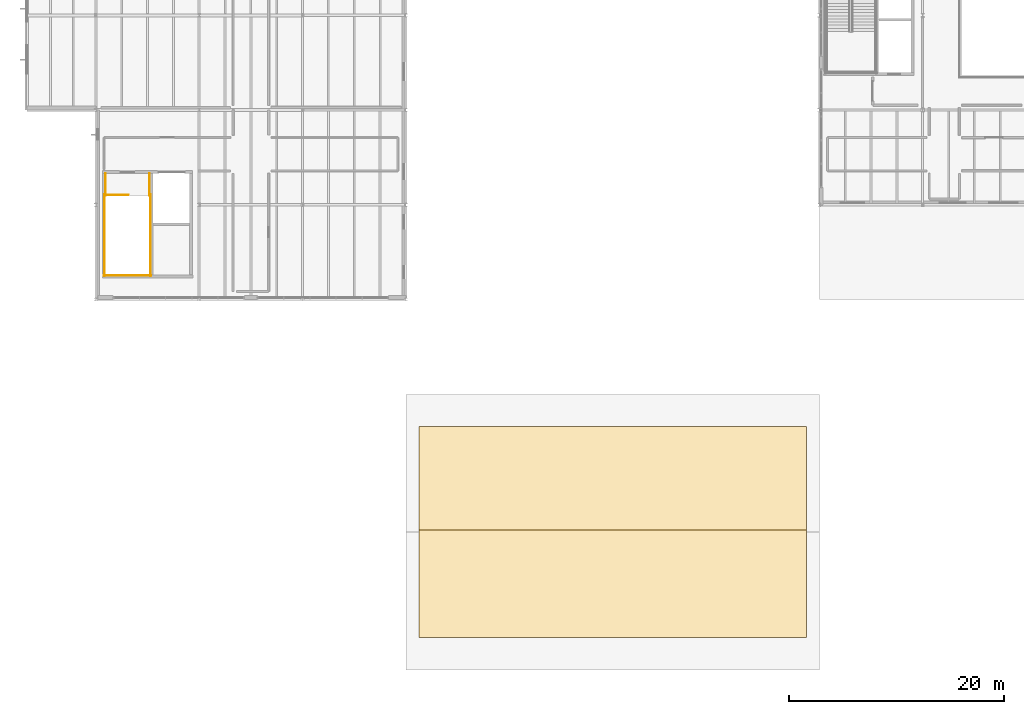
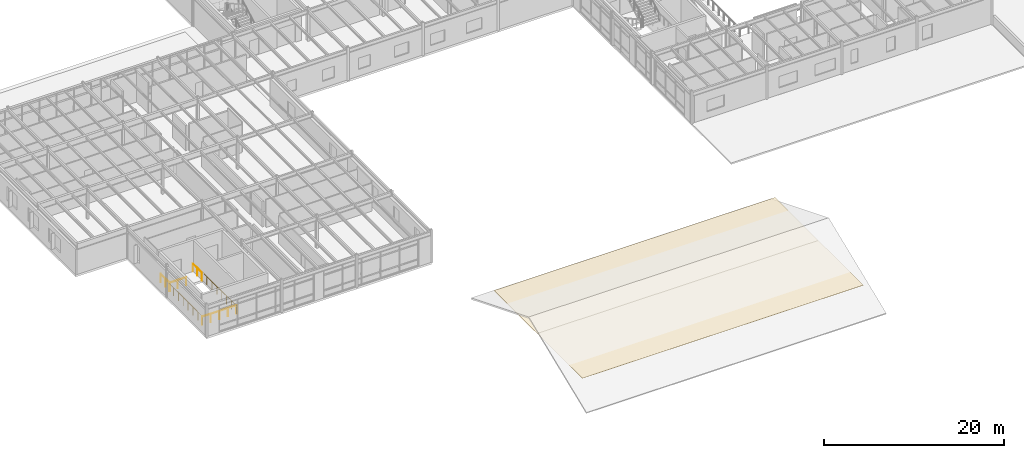
# One storey, part 58 of 69: 6 railings, 2 coverings.
"""IFC4 building model written with IfcOpenShell, lengths in metres."""

from ifc_helpers import new_model, si_unit, direction, frame, origin, origin_2d, place, context, subcontext, project, spatial, rectangle, circle, extrude, material, layer, layer_set, type_object, element, save


model = new_model("IFC4")

# Units and contexts
model_context = context("Model", 3, precision=1e-05, world=origin(), true_north=direction((0.0, 1.0)))
body_context = subcontext(model_context, "Body", "Model", "MODEL_VIEW")
ifc_project = project(units=[si_unit("LENGTHUNIT", "METRE"), si_unit("AREAUNIT", "SQUARE_METRE"), si_unit("VOLUMEUNIT", "CUBIC_METRE"), si_unit("PLANEANGLEUNIT", "RADIAN"), si_unit("MASSUNIT", "GRAM", prefix="KILO")], contexts=[model_context])

# Site, building, storey
site_placement = place(None, origin())
site = spatial("IfcSite", under=ifc_project, at=site_placement, CompositionType="ELEMENT")
building_placement = place(site_placement, origin())
building = spatial("IfcBuilding", under=site, at=building_placement, Name="Sarnbrook Museum", CompositionType="ELEMENT")
storey_placement = place(building_placement, frame((0.0, 0.0, 14.60009765625)))
storey = spatial("IfcBuildingStorey", under=building, at=storey_placement, Name="L03", CompositionType="ELEMENT", Elevation=14.60009765625)

# Railings
ifc_material_1 = material(Name="Brushed Stainless Steel Grade 316", Category="steel")
ifc_layer_1 = layer(ifc_material_1, 0.050048828125)
ifc_layer_set_1 = layer_set([ifc_layer_1], Name="Brushed Stainless Steel Grade 316")
railing_type = type_object("IfcRailingType", Name="Guard_Int1120", PredefinedType="BALUSTRADE", material=ifc_layer_set_1)
railing_1_placement = place(storey_placement, frame((14.43994140625, 48.929931640625, 0.0)))
element("IfcRailing", 1, at=railing_1_placement, inside=storey, type_object=railing_type, Name="L03 ST5 top well guard 1", PredefinedType="BALUSTRADE", context=body_context, shape_type="SweptSolid", body=[
    extrude(circle(Radius=0.02392578125, at=origin_2d()), frame((0.0, 0.0, 1.09619140625), z_axis=(1.0, 0.0, 0.0), x_axis=(0.0, 1.0, 0.0)), (0.0, 0.0, 1.0), 2.18017578125),
    extrude(circle(Radius=0.02099609375, at=origin_2d()), origin(), (0.0, 0.0, 1.0), 1.072021484375),
    extrude(circle(Radius=0.02099609375, at=origin_2d()), frame((1.090087890625, 0.0, 0.0)), (0.0, 0.0, 1.0), 1.072021484375),
    extrude(circle(Radius=0.02099609375, at=origin_2d()), frame((2.18017578125, 0.0, 0.0)), (0.0, 0.0, 1.0), 1.072021484375),
])
for number, where, name in (
    (2, (14.389892578125, 48.97998046875, 0.0), "L03 ST5 top well guard 2"),
    (3, (18.68994140625, 48.97998046875, 0.0), "L03 ST5 top well guard 3"),
):
    element("IfcRailing", number, at=place(storey_placement, frame(where)), inside=storey, type_object=railing_type, Name=name, PredefinedType="BALUSTRADE", context=body_context, shape_type="SweptSolid", body=[
        extrude(circle(Radius=0.02392578125, at=origin_2d()), frame((0.0, 0.0, 1.09619140625), z_axis=(0.0, -1.0, 0.0), x_axis=(1.0, 0.0, 0.0)), (0.0, 0.0, 1.0), 7.580078125),
        extrude(circle(Radius=0.02099609375, at=origin_2d()), origin(), (0.0, 0.0, 1.0), 1.072021484375),
        extrude(circle(Radius=0.02099609375, at=origin_2d()), frame((0.0, -1.082763671875, 0.0)), (0.0, 0.0, 1.0), 1.072021484375),
        extrude(circle(Radius=0.02099609375, at=origin_2d()), frame((0.0, -2.165771484375, 0.0)), (0.0, 0.0, 1.0), 1.072021484375),
        extrude(circle(Radius=0.02099609375, at=origin_2d()), frame((0.0, -3.24853515625, 0.0)), (0.0, 0.0, 1.0), 1.072021484375),
        extrude(circle(Radius=0.02099609375, at=origin_2d()), frame((0.0, -4.33154296875, 0.0)), (0.0, 0.0, 1.0), 1.072021484375),
        extrude(circle(Radius=0.02099609375, at=origin_2d()), frame((0.0, -5.414306640625, 0.0)), (0.0, 0.0, 1.0), 1.072021484375),
        extrude(circle(Radius=0.02099609375, at=origin_2d()), frame((0.0, -6.497314453125, 0.0)), (0.0, 0.0, 1.0), 1.072021484375),
        extrude(circle(Radius=0.02099609375, at=origin_2d()), frame((0.0, -7.580078125, 0.0)), (0.0, 0.0, 1.0), 1.072021484375),
    ])
railing_2_placement = place(storey_placement, frame((14.340087890625, 41.449951171875, 0.0)))
element("IfcRailing", 4, at=railing_2_placement, inside=storey, type_object=railing_type, Name="L03 ST5 top well guard 4", PredefinedType="BALUSTRADE", context=body_context, shape_type="SweptSolid", body=[
    extrude(circle(Radius=0.02392578125, at=origin_2d()), frame((0.0, 0.0, 1.09619140625), z_axis=(1.0, 0.0, 0.0), x_axis=(0.0, 1.0, 0.0)), (0.0, 0.0, 1.0), 4.39990234375),
    extrude(circle(Radius=0.02099609375, at=origin_2d()), origin(), (0.0, 0.0, 1.0), 1.072021484375),
    extrude(circle(Radius=0.02099609375, at=origin_2d()), frame((1.10009765625, 0.0, 0.0)), (0.0, 0.0, 1.0), 1.072021484375),
    extrude(circle(Radius=0.02099609375, at=origin_2d()), frame((2.199951171875, 0.0, 0.0)), (0.0, 0.0, 1.0), 1.072021484375),
    extrude(circle(Radius=0.02099609375, at=origin_2d()), frame((3.2998046875, 0.0, 0.0)), (0.0, 0.0, 1.0), 1.072021484375),
    extrude(circle(Radius=0.02099609375, at=origin_2d()), frame((4.39990234375, 0.0, 0.0)), (0.0, 0.0, 1.0), 1.072021484375),
])
for number, where, name in (
    (5, (14.489990234375, 50.89990234375, 0.0), "L03 ST5 top well guard 5"),
    (6, (18.590087890625, 50.89990234375, 0.0), "L03 ST5 top well guard 6"),
):
    element("IfcRailing", number, at=place(storey_placement, frame(where)), inside=storey, type_object=railing_type, Name=name, PredefinedType="BALUSTRADE", context=body_context, shape_type="SweptSolid", body=[
        extrude(circle(Radius=0.02392578125, at=origin_2d()), frame((0.0, 0.0, 1.09619140625), z_axis=(0.0, -1.0, 0.0), x_axis=(1.0, 0.0, 0.0)), (0.0, 0.0, 1.0), 2.02001953125),
        extrude(circle(Radius=0.02099609375, at=origin_2d()), origin(), (0.0, 0.0, 1.0), 1.072021484375),
        extrude(circle(Radius=0.02099609375, at=origin_2d()), frame((0.0, -1.010009765625, 0.0)), (0.0, 0.0, 1.0), 1.072021484375),
        extrude(circle(Radius=0.02099609375, at=origin_2d()), frame((0.0, -2.02001953125, 0.0)), (0.0, 0.0, 1.0), 1.072021484375),
    ])

# Coverings
ifc_material_2 = material(Name="Standing-Seam Titanium Zinc Roofing")
ifc_layer_2 = layer(ifc_material_2, 0.034912109375)
ifc_layer_set_2 = layer_set([ifc_layer_2], Name="Standing-Seam Titanium Zinc Roofing")
covering_type = type_object("IfcCoveringType", Name="Roofing_StandingSeamZinc", PredefinedType="ROOFING", material=ifc_layer_set_2)
for number, where, z_axis, x_axis, name in (
    (7, (61.60009765625, 12.800048828125, 2.88232421875), (0.0, 0.0, 1.0), (1.0, 0.0, 0.0), "Standing-Seam Zinc Roof Covering ZC-1"),
    (8, (61.60009765625, 22.39990234375, 2.88232421875), (0.0, 0.0, 1.0), (1.0, 0.0, 0.0), "Standing-Seam Zinc Roof Covering ZC-2"),
):
    element("IfcCovering", number, at=place(storey_placement, frame(where, z_axis=z_axis, x_axis=x_axis)), inside=storey, type_object=covering_type, Name=name, PredefinedType="ROOFING", context=body_context, shape_type="SweptSolid", body=[
        extrude(rectangle(XDim=36.0, YDim=10.0, at=origin_2d()), origin(), (0.0, 0.0, 1.0), 0.034912109375),
    ])

save(model, "model.ifc")
